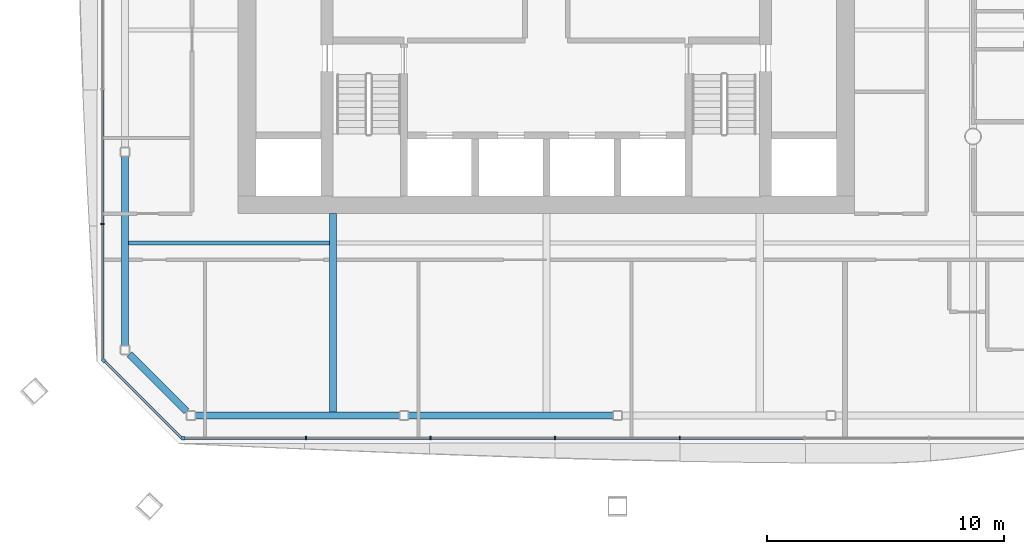
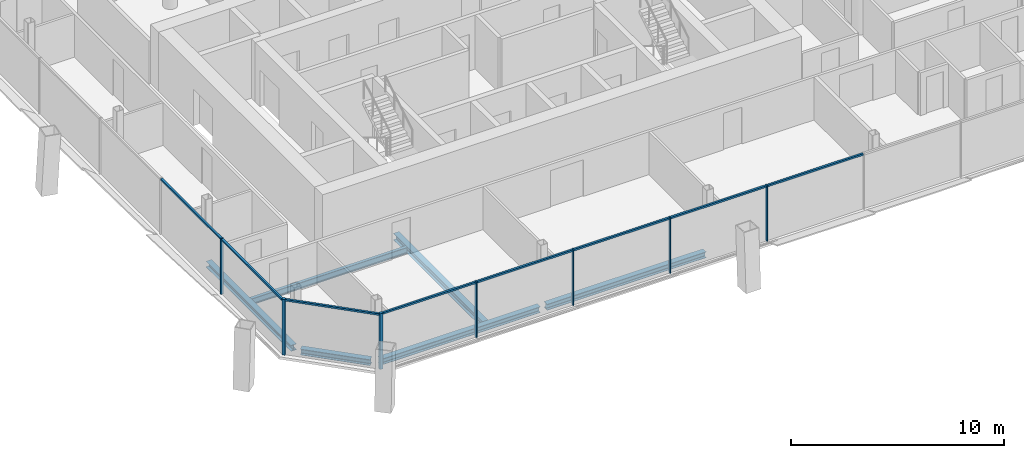
# One storey, part 4 of 18: 15 members, 6 beams, 3 elements without a shape of their own.
"""IFC4 building model written with IfcOpenShell, lengths in metres."""

from ifc_helpers import new_model, si_unit, direction, frame, origin, origin_2d, place, context, subcontext, project, spatial, rectangle, i_section, extrude, material, material_profile, profile_set, type_object, element, aggregate, save


model = new_model("IFC4")

# Units and contexts
model_context = context("Model", 3, precision=1e-05, world=origin(), true_north=direction((0.0, 1.0)))
body_context = subcontext(model_context, "Body", "Model", "MODEL_VIEW")
ifc_project = project(units=[si_unit("LENGTHUNIT", "METRE"), si_unit("AREAUNIT", "SQUARE_METRE"), si_unit("VOLUMEUNIT", "CUBIC_METRE"), si_unit("PLANEANGLEUNIT", "RADIAN"), si_unit("MASSUNIT", "GRAM", prefix="KILO")], contexts=[model_context])

# Site, building, storey
site_placement = place(None, origin())
site = spatial("IfcSite", under=ifc_project, at=site_placement, CompositionType="ELEMENT")
building_placement = place(site_placement, origin())
building = spatial("IfcBuilding", under=site, at=building_placement, Name="Tskaro Facet Tower", CompositionType="ELEMENT")
storey_placement = place(building_placement, frame((0.0, 0.0, 155.5)))
storey = spatial("IfcBuildingStorey", under=building, at=storey_placement, Name="L38", CompositionType="ELEMENT", Elevation=155.5)

# Curtain wall, member
ifc_material_1 = material(Name="Bronze anodised aluminium 6063-T6", Category="aluminium")
curtain_wall_type = type_object("IfcCurtainWallType", Name="Bronze hotel curtain wall (FW2)", PredefinedType="NOTDEFINED", material=ifc_material_1)
curtain_wall_1_placement = place(storey_placement, origin())
curtain_wall_1 = element("IfcCurtainWall", 1, at=curtain_wall_1_placement, inside=storey, type_object=curtain_wall_type, Name="FW2 south facet L38", PredefinedType="NOTDEFINED")
ifc_material_profile_1 = material_profile(ifc_material_1, rectangle(XDim=0.14990234375, YDim=0.14990234375, at=origin_2d()), Name="Corner post 150x150")
ifc_profile_set_1 = profile_set([ifc_material_profile_1], Name="Bronze anodised aluminium 6063-T6")
member_type_1 = type_object("IfcMemberType", Name="FW2 bronze corner post 150x150", PredefinedType="MULLION", material=ifc_profile_set_1)
member_1_placement = place(storey_placement, frame((-15.31689453125, -21.72412109375, 0.0), z_axis=(0.0, 0.0, 1.0), x_axis=(1.0, 0.0, 0.0)))
member_1 = element("IfcMember", 2, at=member_1_placement, type_object=member_type_1, Name="FW2 south corner post", PredefinedType="MULLION", context=body_context, shape_type="SweptSolid", body=[
    extrude(rectangle(XDim=0.14990234375, YDim=0.14990234375, at=origin_2d()), origin(), (0.0, 0.0, 1.0), 3.199951171875),
])

curtain_wall_2_placement = place(storey_placement, origin())
curtain_wall_2 = element("IfcCurtainWall", 3, at=curtain_wall_2_placement, inside=storey, type_object=curtain_wall_type, Name="FW2 south-west facet L38", PredefinedType="NOTDEFINED")
member_2_placement = place(storey_placement, frame((-18.6708984375, -18.445068359375, 0.0), z_axis=(0.0, 0.0, 1.0), x_axis=(0.707106781187, -0.707106781187, 0.0)))
member_2 = element("IfcMember", 4, at=member_2_placement, type_object=member_type_1, Name="FW2 south-west corner post", PredefinedType="MULLION", context=body_context, shape_type="SweptSolid", body=[
    extrude(rectangle(XDim=0.14990234375, YDim=0.14990234375, at=origin_2d()), origin(), (0.0, 0.0, 1.0), 3.199951171875),
])

# Member
ifc_material_profile_2 = material_profile(ifc_material_1, rectangle(XDim=0.06005859375, YDim=0.14990234375, at=origin_2d()), Name="Mullion 60x150")
ifc_profile_set_2 = profile_set([ifc_material_profile_2], Name="Bronze anodised aluminium 6063-T6")
member_type_2 = type_object("IfcMemberType", Name="FW2 bronze mullion 60x150", PredefinedType="MULLION", material=ifc_profile_set_2)
member_3_placement = place(storey_placement, frame((-10.13720703125, -21.72412109375, 0.0), z_axis=(0.0, 0.0, 1.0), x_axis=(1.0, 0.0, 0.0)))
member_3 = element("IfcMember", 5, at=member_3_placement, type_object=member_type_2, Name="FW2 south mullion 1", PredefinedType="MULLION", context=body_context, shape_type="SweptSolid", body=[
    extrude(rectangle(XDim=0.06005859375, YDim=0.14990234375, at=origin_2d()), origin(), (0.0, 0.0, 1.0), 3.199951171875),
])

member_4_placement = place(storey_placement, frame((-4.88232421875, -21.72412109375, 0.0), z_axis=(0.0, 0.0, 1.0), x_axis=(1.0, 0.0, 0.0)))
member_4 = element("IfcMember", 6, at=member_4_placement, type_object=member_type_2, Name="FW2 south mullion 2", PredefinedType="MULLION", context=body_context, shape_type="SweptSolid", body=[
    extrude(rectangle(XDim=0.06005859375, YDim=0.14990234375, at=origin_2d()), origin(), (0.0, 0.0, 1.0), 3.199951171875),
])

member_5_placement = place(storey_placement, frame((0.37255859375, -21.72412109375, 0.0), z_axis=(0.0, 0.0, 1.0), x_axis=(1.0, 0.0, 0.0)))
member_5 = element("IfcMember", 7, at=member_5_placement, type_object=member_type_2, Name="FW2 south mullion 3", PredefinedType="MULLION", context=body_context, shape_type="SweptSolid", body=[
    extrude(rectangle(XDim=0.06005859375, YDim=0.14990234375, at=origin_2d()), origin(), (0.0, 0.0, 1.0), 3.199951171875),
])

member_6_placement = place(storey_placement, frame((5.62744140625, -21.72412109375, 0.0), z_axis=(0.0, 0.0, 1.0), x_axis=(1.0, 0.0, 0.0)))
member_6 = element("IfcMember", 8, at=member_6_placement, type_object=member_type_2, Name="FW2 south mullion 4", PredefinedType="MULLION", context=body_context, shape_type="SweptSolid", body=[
    extrude(rectangle(XDim=0.06005859375, YDim=0.14990234375, at=origin_2d()), origin(), (0.0, 0.0, 1.0), 3.199951171875),
])

# Curtain wall, member
curtain_wall_3_placement = place(storey_placement, origin())
curtain_wall_3 = element("IfcCurtainWall", 9, at=curtain_wall_3_placement, inside=storey, type_object=curtain_wall_type, Name="FW2 west facet L38", PredefinedType="NOTDEFINED")
member_7_placement = place(storey_placement, frame((-18.72412109375, -12.699951171875, 0.0), z_axis=(0.0, 0.0, 1.0), x_axis=(0.0, -1.0, 0.0)))
member_7 = element("IfcMember", 10, at=member_7_placement, type_object=member_type_2, Name="FW2 west mullion 5", PredefinedType="MULLION", context=body_context, shape_type="SweptSolid", body=[
    extrude(rectangle(XDim=0.06005859375, YDim=0.14990234375, at=origin_2d()), origin(), (0.0, 0.0, 1.0), 3.199951171875),
])

# Member
ifc_material_profile_3 = material_profile(ifc_material_1, rectangle(XDim=0.110107421875, YDim=0.10009765625, at=origin_2d()), Name="Transom 110x100")
ifc_profile_set_3 = profile_set([ifc_material_profile_3], Name="Bronze anodised aluminium 6063-T6")
member_type_3 = type_object("IfcMemberType", Name="FW2 bronze transom 110x100", PredefinedType="USERDEFINED", material=ifc_profile_set_3)
member_8_placement = place(storey_placement, frame((-15.241943359375, -21.72412109375, 3.14990234375), z_axis=(1.0, 0.0, 0.0), x_axis=(0.0, 1.0, 0.0)))
member_8 = element("IfcMember", 11, at=member_8_placement, type_object=member_type_3, Name="FW2 south transom 1.1", ObjectType="TRANSOM", PredefinedType="USERDEFINED", context=body_context, shape_type="SweptSolid", body=[
    extrude(rectangle(XDim=0.110107421875, YDim=0.10009765625, at=origin_2d()), origin(), (0.0, 0.0, 1.0), 5.07470703125),
])

member_9_placement = place(storey_placement, frame((-10.107177734375, -21.72412109375, 3.14990234375), z_axis=(1.0, 0.0, 0.0), x_axis=(0.0, 1.0, 0.0)))
member_9 = element("IfcMember", 12, at=member_9_placement, type_object=member_type_3, Name="FW2 south transom 2.1", ObjectType="TRANSOM", PredefinedType="USERDEFINED", context=body_context, shape_type="SweptSolid", body=[
    extrude(rectangle(XDim=0.110107421875, YDim=0.10009765625, at=origin_2d()), origin(), (0.0, 0.0, 1.0), 5.19482421875),
])

member_10_placement = place(storey_placement, frame((-4.852294921875, -21.72412109375, 3.14990234375), z_axis=(1.0, 0.0, 0.0), x_axis=(0.0, 1.0, 0.0)))
member_10 = element("IfcMember", 13, at=member_10_placement, type_object=member_type_3, Name="FW2 south transom 3.1", ObjectType="TRANSOM", PredefinedType="USERDEFINED", context=body_context, shape_type="SweptSolid", body=[
    extrude(rectangle(XDim=0.110107421875, YDim=0.10009765625, at=origin_2d()), origin(), (0.0, 0.0, 1.0), 5.19482421875),
])

member_11_placement = place(storey_placement, frame((0.402587890625, -21.72412109375, 3.14990234375), z_axis=(1.0, 0.0, 0.0), x_axis=(0.0, 1.0, 0.0)))
member_11 = element("IfcMember", 14, at=member_11_placement, type_object=member_type_3, Name="FW2 south transom 4.1", ObjectType="TRANSOM", PredefinedType="USERDEFINED", context=body_context, shape_type="SweptSolid", body=[
    extrude(rectangle(XDim=0.110107421875, YDim=0.10009765625, at=origin_2d()), origin(), (0.0, 0.0, 1.0), 5.19482421875),
])

member_12_placement = place(storey_placement, frame((5.657470703125, -21.72412109375, 3.14990234375), z_axis=(1.0, 0.0, 0.0), x_axis=(0.0, 1.0, 0.0)))
member_12 = element("IfcMember", 15, at=member_12_placement, type_object=member_type_3, Name="FW2 south transom 5.1", ObjectType="TRANSOM", PredefinedType="USERDEFINED", context=body_context, shape_type="SweptSolid", body=[
    extrude(rectangle(XDim=0.110107421875, YDim=0.10009765625, at=origin_2d()), origin(), (0.0, 0.0, 1.0), 5.19482421875),
])

aggregate(curtain_wall_1, [member_1, member_3, member_4, member_5, member_6, member_8, member_9, member_10, member_11, member_12])

member_13_placement = place(storey_placement, frame((-18.72412109375, -7.03759765625, 3.14990234375), z_axis=(0.0, -1.0, 0.0), x_axis=(1.0, 0.0, 0.0)))
member_13 = element("IfcMember", 16, at=member_13_placement, type_object=member_type_3, Name="FW2 west transom 5.1", ObjectType="TRANSOM", PredefinedType="USERDEFINED", context=body_context, shape_type="SweptSolid", body=[
    extrude(rectangle(XDim=0.110107421875, YDim=0.10009765625, at=origin_2d()), origin(), (0.0, 0.0, 1.0), 5.63232421875),
])

member_14_placement = place(storey_placement, frame((-18.72412109375, -12.729736328125, 3.14990234375), z_axis=(0.0, -1.0, 0.0), x_axis=(1.0, 0.0, 0.0)))
member_14 = element("IfcMember", 17, at=member_14_placement, type_object=member_type_3, Name="FW2 west transom 6.1", ObjectType="TRANSOM", PredefinedType="USERDEFINED", context=body_context, shape_type="SweptSolid", body=[
    extrude(rectangle(XDim=0.110107421875, YDim=0.10009765625, at=origin_2d()), origin(), (0.0, 0.0, 1.0), 5.662353515625),
])

aggregate(curtain_wall_3, [member_7, member_13, member_14])

member_15_placement = place(storey_placement, frame((-18.617919921875, -18.498046875, 3.14990234375), z_axis=(0.707080023698, -0.707133537663, 0.0), x_axis=(0.707133537663, 0.707080023698, 0.0)))
member_15 = element("IfcMember", 18, at=member_15_placement, type_object=member_type_3, Name="FW2 south-west transom 1.1", ObjectType="TRANSOM", PredefinedType="USERDEFINED", context=body_context, shape_type="SweptSolid", body=[
    extrude(rectangle(XDim=0.110107421875, YDim=0.10009765625, at=origin_2d()), origin(), (0.0, 0.0, 1.0), 4.562255859375),
])

aggregate(curtain_wall_2, [member_2, member_15])

# Beams
ifc_material_2 = material(Name="Steel S355J2", Category="steel")
ifc_material_profile_4 = material_profile(ifc_material_2, i_section(OverallWidth=0.300048828125, OverallDepth=0.340087890625, WebThickness=0.011962890625, FlangeThickness=0.021484375, FilletRadius=0.027099609375, at=origin_2d()), Name="HE 340 B")
ifc_profile_set_4 = profile_set([ifc_material_profile_4], Name="Steel S355J2")
beam_type_1 = type_object("IfcBeamType", Name="HE 340 B ring beam", PredefinedType="BEAM", material=ifc_profile_set_4)
beam_1_placement = place(storey_placement, frame((-14.819091796875, -20.77392578125, -0.31005859375), z_axis=(1.0, 0.0, 0.0), x_axis=(0.0, 1.0, 0.0)))
element("IfcBeam", 19, at=beam_1_placement, inside=storey, type_object=beam_type_1, Name="HE 340 B EB1-3", PredefinedType="BEAM", context=body_context, shape_type="SweptSolid", body=[
    extrude(i_section(OverallWidth=0.300048828125, OverallDepth=0.340087890625, WebThickness=0.011962890625, FlangeThickness=0.021484375, FilletRadius=0.027099609375, at=origin_2d()), origin(), (0.0, 0.0, 1.0), 8.63916015625),
])
beam_2_placement = place(storey_placement, frame((-5.820068359375, -20.77392578125, -0.31005859375), z_axis=(1.0, 0.0, 0.0), x_axis=(0.0, 1.0, 0.0)))
element("IfcBeam", 20, at=beam_2_placement, inside=storey, type_object=beam_type_1, Name="HE 340 B EB2-3", PredefinedType="BEAM", context=body_context, shape_type="SweptSolid", body=[
    extrude(i_section(OverallWidth=0.300048828125, OverallDepth=0.340087890625, WebThickness=0.011962890625, FlangeThickness=0.021484375, FilletRadius=0.027099609375, at=origin_2d()), origin(), (0.0, 0.0, 1.0), 8.64013671875),
])
beam_3_placement = place(storey_placement, frame((-17.77392578125, -9.8369140625, -0.31005859375), z_axis=(0.0, -1.0, 0.0), x_axis=(1.0, 0.0, 0.0)))
element("IfcBeam", 21, at=beam_3_placement, inside=storey, type_object=beam_type_1, Name="HE 340 B EB19-3", PredefinedType="BEAM", context=body_context, shape_type="SweptSolid", body=[
    extrude(i_section(OverallWidth=0.300048828125, OverallDepth=0.340087890625, WebThickness=0.011962890625, FlangeThickness=0.021484375, FilletRadius=0.027099609375, at=origin_2d()), origin(), (0.0, 0.0, 1.0), 7.982177734375),
])
beam_4_placement = place(storey_placement, frame((-17.588134765625, -18.184814453125, -0.31005859375), z_axis=(0.707106781187, -0.707106781187, 0.0), x_axis=(0.707106781187, 0.707106781187, 0.0)))
element("IfcBeam", 22, at=beam_4_placement, inside=storey, type_object=beam_type_1, Name="HE 340 B EB20-3", PredefinedType="BEAM", context=body_context, shape_type="SweptSolid", body=[
    extrude(i_section(OverallWidth=0.300048828125, OverallDepth=0.340087890625, WebThickness=0.011962890625, FlangeThickness=0.021484375, FilletRadius=0.027099609375, at=origin_2d()), origin(), (0.0, 0.0, 1.0), 3.39892578125),
])
ifc_material_profile_5 = material_profile(ifc_material_2, i_section(OverallWidth=0.300048828125, OverallDepth=0.389892578125, WebThickness=0.010986328125, FlangeThickness=0.01904296875, FilletRadius=0.027099609375, at=origin_2d()), Name="HE 400 A")
ifc_profile_set_5 = profile_set([ifc_material_profile_5], Name="Steel S355J2")
beam_type_2 = type_object("IfcBeamType", Name="HE 400 A girder", PredefinedType="BEAM", material=ifc_profile_set_5)
beam_5_placement = place(storey_placement, frame((-9.0, -20.6240234375, -0.3349609375), z_axis=(0.0, 1.0, 0.0), x_axis=(-1.0, 0.0, 0.0)))
element("IfcBeam", 23, at=beam_5_placement, inside=storey, type_object=beam_type_2, Name="HE 400 A GB3-1-3", PredefinedType="BEAM", context=body_context, shape_type="SweptSolid", body=[
    extrude(i_section(OverallWidth=0.300048828125, OverallDepth=0.389892578125, WebThickness=0.010986328125, FlangeThickness=0.01904296875, FilletRadius=0.027099609375, at=origin_2d()), origin(), (0.0, 0.0, 1.0), 8.3740234375),
])
ifc_material_profile_6 = material_profile(ifc_material_2, i_section(OverallWidth=0.169921875, OverallDepth=0.360107421875, WebThickness=0.008056640625, FlangeThickness=0.0126953125, FilletRadius=0.01806640625, at=origin_2d()), Name="IPE 360")
ifc_profile_set_6 = profile_set([ifc_material_profile_6], Name="Steel S355J2")
beam_type_3 = type_object("IfcBeamType", Name="IPE 360 secondary beam", PredefinedType="BEAM", material=ifc_profile_set_6)
beam_6_placement = place(storey_placement, frame((-17.6240234375, -13.5, -0.320068359375), z_axis=(1.0, 0.0, 0.0), x_axis=(0.0, 1.0, 0.0)))
element("IfcBeam", 24, at=beam_6_placement, inside=storey, type_object=beam_type_3, Name="IPE 360 SB2a-1-3", PredefinedType="BEAM", context=body_context, shape_type="SweptSolid", body=[
    extrude(i_section(OverallWidth=0.169921875, OverallDepth=0.360107421875, WebThickness=0.008056640625, FlangeThickness=0.0126953125, FilletRadius=0.01806640625, at=origin_2d()), origin(), (0.0, 0.0, 1.0), 8.47412109375),
])

save(model, "model.ifc")
